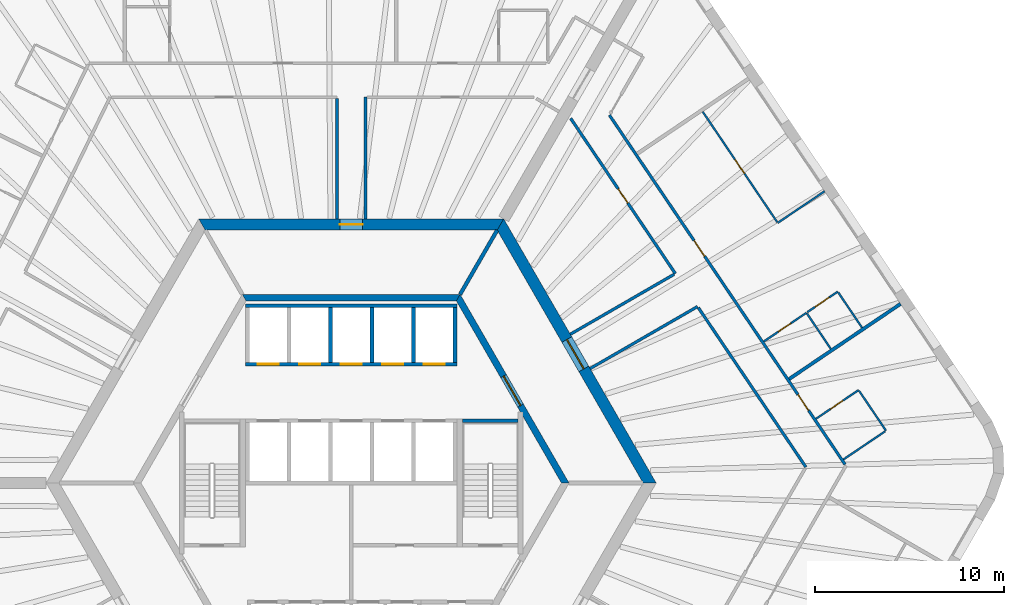
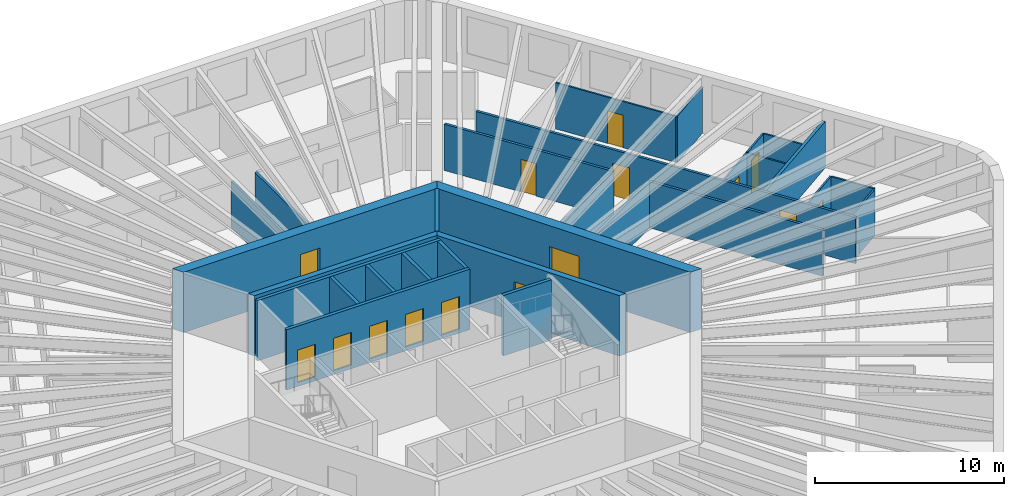
# One storey, part 9 of 11: 29 walls, 15 doors, 15 openings.
"""IFC4 building model written with IfcOpenShell, lengths in metres."""

from ifc_helpers import new_model, si_unit, direction, frame, frame_2d, origin, place, context, subcontext, project, spatial, polyline, rectangle, outline, extrude, material, layer, layer_set, type_object, element, fill, save


model = new_model("IFC4")

# Units and contexts
model_context = context("Model", 3, precision=1e-05, world=origin(), true_north=direction((0.0, 1.0)))
body_context = subcontext(model_context, "Body", "Model", "MODEL_VIEW")
ifc_project = project(units=[si_unit("LENGTHUNIT", "METRE"), si_unit("AREAUNIT", "SQUARE_METRE"), si_unit("VOLUMEUNIT", "CUBIC_METRE"), si_unit("PLANEANGLEUNIT", "RADIAN"), si_unit("MASSUNIT", "GRAM", prefix="KILO")], contexts=[model_context])

# Site, building, storey
site_placement = place(None, origin())
site = spatial("IfcSite", under=ifc_project, at=site_placement, CompositionType="ELEMENT")
building_placement = place(site_placement, origin())
building = spatial("IfcBuilding", under=site, at=building_placement, Name="Tarnside Tower", CompositionType="ELEMENT")
storey_placement = place(building_placement, frame((0.0, 0.0, 107.699951171875)))
storey = spatial("IfcBuildingStorey", under=building, at=storey_placement, Name="L24", CompositionType="ELEMENT", Elevation=107.699951171875)

# Wall, opening, door
ifc_material_1 = material(Name="Gypsum board partition on steel studs", Category="steel")
ifc_layer_1 = layer(ifc_material_1, 0.10009765625)
ifc_layer_set_1 = layer_set([ifc_layer_1], Name="Bathroom wall 100")
wall_type_1 = type_object("IfcWallType", Name="Bathroom wall 100", PredefinedType="PARTITIONING", material=ifc_layer_set_1)
wall_1_placement = place(storey_placement, frame((24.63330078125, 3.4033203125, 0.0), z_axis=(0.0, 0.0, 1.0), x_axis=(0.829047014003, 0.559178905694, 0.0)))
wall_1 = element("IfcWall", 1, at=wall_1_placement, inside=storey, type_object=wall_type_1, Name="Bathroom wall 07145", PredefinedType="PARTITIONING", context=body_context, shape_type="SweptSolid", body=[
    extrude(rectangle(XDim=2.724853515625, YDim=0.10009765625, at=frame_2d((1.3623046875, 0.0))), origin(), (0.0, 0.0, 1.0), 2.98779296875),
])
opening_1_placement = place(wall_1_placement, frame((0.925048828125, 0.0, 0.0)))
opening_1 = element("IfcOpeningElement", 2, at=opening_1_placement, cuts=wall_1, Name="Opening D-B1", PredefinedType="OPENING", context=body_context, shape_type="SweptSolid", body=[
    extrude(rectangle(XDim=0.800048828125, YDim=2.10009765625, at=frame_2d((0.39990234375, 1.050048828125))), frame((0.0, 0.06005859375, 0.0), z_axis=(0.0, -1.0, 0.0), x_axis=(1.0, 0.0, 0.0)), (0.0, 0.0, 1.0), 0.1201171875),
])
ifc_material_2 = material(Name="Timber door leaf", Category="wood")
door_type_1 = type_object("IfcDoorType", Name="Bathroom door 800", OperationType="NOTDEFINED", PredefinedType="DOOR", material=ifc_material_2)
door_1_placement = place(opening_1_placement, origin())
door_1 = element("IfcDoor", 3, at=door_1_placement, inside=storey, type_object=door_type_1, Name="Bathroom door 07036", OperationType="SINGLE_SWING_RIGHT", OverallHeight=2.10009765625, OverallWidth=0.800048828125, PredefinedType="DOOR", context=body_context, shape_type="SweptSolid", body=[
    extrude(rectangle(XDim=0.800048828125, YDim=2.10009765625, at=frame_2d((0.39990234375, 1.050048828125))), frame((0.0, 0.02490234375, 0.0), z_axis=(0.0, -1.0, 0.0), x_axis=(1.0, 0.0, 0.0)), (0.0, 0.0, 1.0), 0.050048828125),
])
fill(opening_1, door_1)

# Walls
wall_2_placement = place(storey_placement, frame((26.92041015625, 4.885498046875, 0.0), z_axis=(0.0, 0.0, 1.0), x_axis=(0.559221247909, -0.829018453285, 0.0)))
element("IfcWall", 4, at=wall_2_placement, inside=storey, type_object=wall_type_1, Name="Bathroom wall 07146", PredefinedType="PARTITIONING", context=body_context, shape_type="SweptSolid", body=[
    extrude(rectangle(XDim=2.550048828125, YDim=0.10009765625, at=frame_2d((1.27490234375, 0.0))), origin(), (0.0, 0.0, 1.0), 2.98779296875),
])
wall_3_placement = place(storey_placement, frame((28.304931640625, 2.74365234375, 0.0), z_axis=(0.0, 0.0, 1.0), x_axis=(-0.82904753069, -0.559178139645, 0.0)))
element("IfcWall", 5, at=wall_3_placement, inside=storey, type_object=wall_type_1, Name="Bathroom wall 07147", PredefinedType="PARTITIONING", context=body_context, shape_type="SweptSolid", body=[
    extrude(rectangle(XDim=2.675048828125, YDim=0.10009765625, at=frame_2d((1.33740234375, 0.0))), origin(), (0.0, 0.0, 1.0), 2.98779296875),
])

# Wall, opening, door
wall_4_placement = place(storey_placement, frame((21.86962890625, 7.50048828125, 0.0), z_axis=(0.0, 0.0, 1.0), x_axis=(0.829005477618, 0.559240483226, 0.0)))
wall_4 = element("IfcWall", 6, at=wall_4_placement, inside=storey, type_object=wall_type_1, Name="Bathroom wall 07151", PredefinedType="PARTITIONING", context=body_context, shape_type="SweptSolid", body=[
    extrude(rectangle(XDim=2.72509765625, YDim=0.10009765625, at=frame_2d((1.362548828125, 0.0))), origin(), (0.0, 0.0, 1.0), 2.98779296875),
])
opening_2_placement = place(wall_4_placement, frame((0.925048828125, 0.0, 0.0)))
opening_2 = element("IfcOpeningElement", 7, at=opening_2_placement, cuts=wall_4, Name="Opening D-B1", PredefinedType="OPENING", context=body_context, shape_type="SweptSolid", body=[
    extrude(rectangle(XDim=0.800048828125, YDim=2.10009765625, at=frame_2d((0.39990234375, 1.050048828125))), frame((0.0, 0.06005859375, 0.0), z_axis=(0.0, -1.0, 0.0), x_axis=(1.0, 0.0, 0.0)), (0.0, 0.0, 1.0), 0.1201171875),
])
door_2_placement = place(opening_2_placement, origin())
door_2 = element("IfcDoor", 8, at=door_2_placement, inside=storey, type_object=door_type_1, Name="Bathroom door 07038", OperationType="SINGLE_SWING_RIGHT", OverallHeight=2.10009765625, OverallWidth=0.800048828125, PredefinedType="DOOR", context=body_context, shape_type="SweptSolid", body=[
    extrude(rectangle(XDim=0.800048828125, YDim=2.10009765625, at=frame_2d((0.39990234375, 1.050048828125))), frame((0.0, 0.02490234375, 0.0), z_axis=(0.0, -1.0, 0.0), x_axis=(1.0, 0.0, 0.0)), (0.0, 0.0, 1.0), 0.050048828125),
])
fill(opening_2, door_2)

# Wall
wall_5_placement = place(storey_placement, frame((25.42041015625, 7.109375, 0.0), z_axis=(0.0, 0.0, 1.0), x_axis=(-0.559179660023, 0.829046505219, 0.0)))
element("IfcWall", 9, at=wall_5_placement, inside=storey, type_object=wall_type_1, Name="Bathroom wall 07157", PredefinedType="PARTITIONING", context=body_context, shape_type="SweptSolid", body=[
    extrude(rectangle(XDim=2.259765625, YDim=0.10009765625, at=frame_2d((1.1298828125, 0.0))), origin(), (0.0, 0.0, 1.0), 2.98779296875),
])

# Wall, opening, door
ifc_material_3 = material(Name="Concrete C50/60", Category="concrete")
ifc_layer_2 = layer(ifc_material_3, 0.35009765625)
ifc_layer_set_2 = layer_set([ifc_layer_2], Name="Core block wall 350 C50/60")
wall_type_2 = type_object("IfcWallType", Name="Core block wall 350 C50/60", PredefinedType="SHEAR", material=ifc_layer_set_2)
wall_6_placement = place(storey_placement, frame((11.344970703125, 0.0, -0.14990234375), z_axis=(0.0, 0.0, 1.0), x_axis=(-0.499995046907, 0.866028263435, 0.0)))
wall_6 = element("IfcWall", 10, at=wall_6_placement, inside=storey, type_object=wall_type_2, Name="L24 core block wall face 6", PredefinedType="SHEAR", context=body_context, shape_type="SweptSolid", body=[
    extrude(outline(polyline([(-0.10107421875, -0.175048828125), (11.44580078125, -0.175048828125), (11.24365234375, 0.175048828125), (0.10107421875, 0.175048828125), (-0.10107421875, -0.175048828125)])), origin(), (0.0, 0.0, 1.0), 3.89990234375),
])
opening_3_placement = place(wall_6_placement, frame((4.74365234375, 0.0, 0.14990234375)))
opening_3 = element("IfcOpeningElement", 11, at=opening_3_placement, cuts=wall_6, Name="Opening CD-LOB", PredefinedType="OPENING", context=body_context, shape_type="SweptSolid", body=[
    extrude(rectangle(XDim=1.800048828125, YDim=2.39990234375, at=frame_2d((0.89990234375, 1.199951171875))), frame((0.0, 0.18505859375, 0.0), z_axis=(0.0, -1.0, 0.0), x_axis=(1.0, 0.0, 0.0)), (0.0, 0.0, 1.0), 0.3701171875),
])
ifc_material_4 = material(Name="Steel fire door", Category="steel")
door_type_2 = type_object("IfcDoorType", Name="Lobby double door FD30S 1800x2400", OperationType="NOTDEFINED", PredefinedType="DOOR", material=ifc_material_4)
door_3_placement = place(opening_3_placement, origin())
door_3 = element("IfcDoor", 12, at=door_3_placement, inside=storey, type_object=door_type_2, Name="L24 lobby block door P2", OperationType="DOUBLE_DOOR_SINGLE_SWING", OverallHeight=2.39990234375, OverallWidth=1.800048828125, PredefinedType="DOOR", context=body_context, shape_type="SweptSolid", body=[
    extrude(rectangle(XDim=1.800048828125, YDim=2.39990234375, at=frame_2d((0.89990234375, 1.199951171875))), frame((0.0, 0.02490234375, 0.0), z_axis=(0.0, -1.0, 0.0), x_axis=(1.0, 0.0, 0.0)), (0.0, 0.0, 1.0), 0.050048828125),
])
fill(opening_3, door_3)

# Wall
wall_7_placement = place(storey_placement, frame((5.672607421875, 9.824951171875, -0.14990234375), z_axis=(0.0, 0.0, 1.0), x_axis=(-1.0, 0.0, 0.0)))
element("IfcWall", 13, at=wall_7_placement, inside=storey, type_object=wall_type_2, Name="L24 core block wall face 1", PredefinedType="SHEAR", context=body_context, shape_type="SweptSolid", body=[
    extrude(outline(polyline([(-0.10107421875, -0.175048828125), (11.4462890625, -0.175048828125), (11.244140625, 0.175048828125), (0.10107421875, 0.175048828125), (-0.10107421875, -0.175048828125)])), origin(), (0.0, 0.0, 1.0), 3.89990234375),
])

# Wall, opening, door
ifc_material_5 = material(Name="Concrete C80/95", Category="concrete")
ifc_layer_3 = layer(ifc_material_5, 0.60009765625)
ifc_layer_set_3 = layer_set([ifc_layer_3], Name="Core wall Z1 600 C80/95")
wall_type_3 = type_object("IfcWallType", Name="Core wall Z1 600 C80/95", PredefinedType="SHEAR", material=ifc_layer_set_3)
wall_8_placement = place(storey_placement, frame((15.8193359375, 0.0, -0.14990234375), z_axis=(0.0, 0.0, 1.0), x_axis=(-0.499999880136, 0.866025472988, 0.0)))
wall_8 = element("IfcWall", 14, at=wall_8_placement, inside=storey, type_object=wall_type_3, Name="L24 core wall face 6", PredefinedType="SHEAR", context=body_context, shape_type="SweptSolid", body=[
    extrude(outline(polyline([(-0.17333984375, -0.300048828125), (15.99267578125, -0.300048828125), (15.64599609375, 0.300048828125), (0.17333984375, 0.300048828125), (-0.17333984375, -0.300048828125)])), origin(), (0.0, 0.0, 1.0), 3.89990234375),
])
opening_4_placement = place(wall_8_placement, frame((6.980712890625, 0.0, 0.14990234375)))
opening_4 = element("IfcOpeningElement", 15, at=opening_4_placement, cuts=wall_8, Name="Opening CD-LOB", PredefinedType="OPENING", context=body_context, shape_type="SweptSolid", body=[
    extrude(rectangle(XDim=1.800048828125, YDim=2.39990234375, at=frame_2d((0.89990234375, 1.199951171875))), frame((0.0, 0.31005859375, 0.0), z_axis=(0.0, -1.0, 0.0), x_axis=(1.0, 0.0, 0.0)), (0.0, 0.0, 1.0), 0.6201171875),
])
door_4_placement = place(opening_4_placement, origin())
door_4 = element("IfcDoor", 16, at=door_4_placement, inside=storey, type_object=door_type_2, Name="L24 core door P2", OperationType="DOUBLE_DOOR_SINGLE_SWING", OverallHeight=2.39990234375, OverallWidth=1.800048828125, PredefinedType="DOOR", context=body_context, shape_type="SweptSolid", body=[
    extrude(rectangle(XDim=1.800048828125, YDim=2.39990234375, at=frame_2d((0.89990234375, 1.199951171875))), frame((0.0, 0.02490234375, 0.0), z_axis=(0.0, -1.0, 0.0), x_axis=(1.0, 0.0, 0.0)), (0.0, 0.0, 1.0), 0.050048828125),
])
fill(opening_4, door_4)

wall_9_placement = place(storey_placement, frame((7.90966796875, 13.699951171875, -0.14990234375), z_axis=(0.0, 0.0, 1.0), x_axis=(-1.0, 0.0, 0.0)))
wall_9 = element("IfcWall", 17, at=wall_9_placement, inside=storey, type_object=wall_type_3, Name="L24 core wall face 1", PredefinedType="SHEAR", context=body_context, shape_type="SweptSolid", body=[
    extrude(outline(polyline([(-0.17333984375, -0.300048828125), (15.99267578125, -0.300048828125), (15.64599609375, 0.300048828125), (0.17333984375, 0.300048828125), (-0.17333984375, -0.300048828125)])), origin(), (0.0, 0.0, 1.0), 3.89990234375),
])
opening_5_placement = place(wall_9_placement, frame((7.309814453125, 0.0, 0.14990234375)))
opening_5 = element("IfcOpeningElement", 18, at=opening_5_placement, cuts=wall_9, Name="Opening CD-RSR", PredefinedType="OPENING", context=body_context, shape_type="SweptSolid", body=[
    extrude(rectangle(XDim=1.199951171875, YDim=2.39990234375, at=frame_2d((0.60009765625, 1.199951171875))), frame((0.0, 0.31005859375, 0.0), z_axis=(0.0, -1.0, 0.0), x_axis=(1.0, 0.0, 0.0)), (0.0, 0.0, 1.0), 0.6201171875),
])
door_type_3 = type_object("IfcDoorType", Name="Riser door FD60 1200x2400", OperationType="NOTDEFINED", PredefinedType="DOOR", material=ifc_material_4)
door_5_placement = place(opening_5_placement, origin())
door_5 = element("IfcDoor", 19, at=door_5_placement, inside=storey, type_object=door_type_3, Name="L24 core door S5", OperationType="SINGLE_SWING_LEFT", OverallHeight=2.39990234375, OverallWidth=1.199951171875, PredefinedType="DOOR", context=body_context, shape_type="SweptSolid", body=[
    extrude(rectangle(XDim=1.199951171875, YDim=2.39990234375, at=frame_2d((0.60009765625, 1.199951171875))), frame((0.0, 0.02490234375, 0.0), z_axis=(0.0, -1.0, 0.0), x_axis=(1.0, 0.0, 0.0)), (0.0, 0.0, 1.0), 0.050048828125),
])
fill(opening_5, door_5)

# Walls
ifc_layer_4 = layer(ifc_material_1, 0.14990234375)
ifc_layer_set_4 = layer_set([ifc_layer_4], Name="Corridor wall 150 EI 60")
wall_type_4 = type_object("IfcWallType", Name="Corridor wall 150 EI 60", PredefinedType="PARTITIONING", material=ifc_layer_set_4)
wall_10_placement = place(storey_placement, frame((-0.75, 20.375, 0.0), z_axis=(0.0, 0.0, 1.0), x_axis=(0.0, -1.0, 0.0)))
element("IfcWall", 20, at=wall_10_placement, inside=storey, type_object=wall_type_4, Name="Corridor wall 07021", PredefinedType="PARTITIONING", context=body_context, shape_type="SweptSolid", body=[
    extrude(rectangle(XDim=6.375, YDim=0.14990234375, at=frame_2d((3.1875, 0.0))), origin(), (0.0, 0.0, 1.0), 2.98779296875),
])
wall_11_placement = place(storey_placement, frame((0.75, 14.0, 0.0), z_axis=(0.0, 0.0, 1.0), x_axis=(0.0, 1.0, 0.0)))
element("IfcWall", 21, at=wall_11_placement, inside=storey, type_object=wall_type_4, Name="Corridor wall 07022", PredefinedType="PARTITIONING", context=body_context, shape_type="SweptSolid", body=[
    extrude(rectangle(XDim=6.449951171875, YDim=0.14990234375, at=frame_2d((3.22509765625, 0.0))), origin(), (0.0, 0.0, 1.0), 2.98779296875),
])

# Wall, openings, doors
wall_12_placement = place(storey_placement, frame((26.174072265625, 0.98486328125, 0.0), z_axis=(0.0, 0.0, 1.0), x_axis=(-0.559192163771, 0.829038071488, 0.0)))
wall_12 = element("IfcWall", 22, at=wall_12_placement, inside=storey, type_object=wall_type_4, Name="Corridor wall 07058", PredefinedType="PARTITIONING", context=body_context, shape_type="SweptSolid", body=[
    extrude(rectangle(XDim=22.33544921875, YDim=0.14990234375, at=frame_2d((11.167724609375, 0.0))), origin(), (0.0, 0.0, 1.0), 2.98779296875),
])
opening_6_placement = place(wall_12_placement, frame((3.462646484375, 0.0, 0.0)))
opening_6 = element("IfcOpeningElement", 23, at=opening_6_placement, cuts=wall_12, Name="Opening D-E1", PredefinedType="OPENING", context=body_context, shape_type="SweptSolid", body=[
    extrude(rectangle(XDim=1.0, YDim=2.10009765625, at=frame_2d((0.5, 1.050048828125))), frame((0.0, 0.0849609375, 0.0), z_axis=(0.0, -1.0, 0.0), x_axis=(1.0, 0.0, 0.0)), (0.0, 0.0, 1.0), 0.169921875),
])
opening_7_placement = place(wall_12_placement, frame((13.308837890625, 0.0, 0.0)))
opening_7 = element("IfcOpeningElement", 24, at=opening_7_placement, cuts=wall_12, Name="Opening D-E1", PredefinedType="OPENING", context=body_context, shape_type="SweptSolid", body=[
    extrude(rectangle(XDim=1.0, YDim=2.10009765625, at=frame_2d((0.5, 1.050048828125))), frame((0.0, 0.0849609375, 0.0), z_axis=(0.0, -1.0, 0.0), x_axis=(1.0, 0.0, 0.0)), (0.0, 0.0, 1.0), 0.169921875),
])
door_type_4 = type_object("IfcDoorType", Name="Unit entrance door 1000 FD30S", OperationType="NOTDEFINED", PredefinedType="DOOR", material=ifc_material_2)
door_6_placement = place(opening_6_placement, origin())
door_6 = element("IfcDoor", 25, at=door_6_placement, inside=storey, type_object=door_type_4, Name="Unit door 07035", OperationType="SINGLE_SWING_LEFT", OverallHeight=2.10009765625, OverallWidth=1.0, PredefinedType="DOOR", context=body_context, shape_type="SweptSolid", body=[
    extrude(rectangle(XDim=1.0, YDim=2.10009765625, at=frame_2d((0.5, 1.050048828125))), frame((0.0, 0.02490234375, 0.0), z_axis=(0.0, -1.0, 0.0), x_axis=(1.0, 0.0, 0.0)), (0.0, 0.0, 1.0), 0.050048828125),
])
fill(opening_6, door_6)
door_7_placement = place(opening_7_placement, origin())
door_7 = element("IfcDoor", 26, at=door_7_placement, inside=storey, type_object=door_type_4, Name="Unit door 07037", OperationType="SINGLE_SWING_RIGHT", OverallHeight=2.10009765625, OverallWidth=1.0, PredefinedType="DOOR", context=body_context, shape_type="SweptSolid", body=[
    extrude(rectangle(XDim=1.0, YDim=2.10009765625, at=frame_2d((0.5, 1.050048828125))), frame((0.0, 0.02490234375, 0.0), z_axis=(0.0, -1.0, 0.0), x_axis=(1.0, 0.0, 0.0)), (0.0, 0.0, 1.0), 0.050048828125),
])
fill(opening_7, door_7)

# Walls
wall_13_placement = place(storey_placement, frame((12.663818359375, 6.065673828125, 0.0), z_axis=(0.0, 0.0, 1.0), x_axis=(0.866027295802, 0.499996722915, 0.0)))
element("IfcWall", 27, at=wall_13_placement, inside=storey, type_object=wall_type_4, Name="Corridor wall 07067", PredefinedType="PARTITIONING", context=body_context, shape_type="SweptSolid", body=[
    extrude(rectangle(XDim=6.5751953125, YDim=0.14990234375, at=frame_2d((3.28759765625, 0.0))), origin(), (0.0, 0.0, 1.0), 2.98779296875),
])
wall_14_placement = place(storey_placement, frame((18.400390625, 9.291015625, 0.0), z_axis=(0.0, 0.0, 1.0), x_axis=(0.559191829043, -0.829038297265, 0.0)))
element("IfcWall", 28, at=wall_14_placement, inside=storey, type_object=wall_type_4, Name="Corridor wall 07068", PredefinedType="PARTITIONING", context=body_context, shape_type="SweptSolid", body=[
    extrude(rectangle(XDim=10.19189453125, YDim=0.14990234375, at=frame_2d((5.095947265625, 0.0))), origin(), (0.0, 0.0, 1.0), 2.98779296875),
])

# Wall, opening, door
wall_15_placement = place(storey_placement, frame((11.631591796875, 19.326171875, 0.0), z_axis=(0.0, 0.0, 1.0), x_axis=(0.559193968377, -0.829036854266, 0.0)))
wall_15 = element("IfcWall", 29, at=wall_15_placement, inside=storey, type_object=wall_type_4, Name="Corridor wall 07074", PredefinedType="PARTITIONING", context=body_context, shape_type="SweptSolid", body=[
    extrude(rectangle(XDim=9.92431640625, YDim=0.14990234375, at=frame_2d((4.962158203125, 0.0))), origin(), (0.0, 0.0, 1.0), 2.98779296875),
])
opening_8_placement = place(wall_15_placement, frame((4.51220703125, 0.0, 0.0)))
opening_8 = element("IfcOpeningElement", 30, at=opening_8_placement, cuts=wall_15, Name="Opening D-S1", PredefinedType="OPENING", context=body_context, shape_type="SweptSolid", body=[
    extrude(rectangle(XDim=0.89990234375, YDim=2.10009765625, at=frame_2d((0.449951171875, 1.050048828125))), frame((0.0, 0.0849609375, 0.0), z_axis=(0.0, -1.0, 0.0), x_axis=(1.0, 0.0, 0.0)), (0.0, 0.0, 1.0), 0.169921875),
])
door_type_5 = type_object("IfcDoorType", Name="Service room door 900 FD30S", OperationType="NOTDEFINED", PredefinedType="DOOR", material=ifc_material_2)
door_8_placement = place(opening_8_placement, origin())
door_8 = element("IfcDoor", 31, at=door_8_placement, inside=storey, type_object=door_type_5, Name="Service door 07050", OperationType="SINGLE_SWING_LEFT", OverallHeight=2.10009765625, OverallWidth=0.89990234375, PredefinedType="DOOR", context=body_context, shape_type="SweptSolid", body=[
    extrude(rectangle(XDim=0.89990234375, YDim=2.10009765625, at=frame_2d((0.449951171875, 1.050048828125))), frame((0.0, 0.02490234375, 0.0), z_axis=(0.0, -1.0, 0.0), x_axis=(1.0, 0.0, 0.0)), (0.0, 0.0, 1.0), 0.050048828125),
])
fill(opening_8, door_8)

# Walls
wall_16_placement = place(storey_placement, frame((17.115966796875, 11.06103515625, 0.0), z_axis=(0.0, 0.0, 1.0), x_axis=(-0.866021127751, -0.500007406234, 0.0)))
element("IfcWall", 32, at=wall_16_placement, inside=storey, type_object=wall_type_4, Name="Corridor wall 07075", PredefinedType="PARTITIONING", context=body_context, shape_type="SweptSolid", body=[
    extrude(rectangle(XDim=6.353515625, YDim=0.14990234375, at=frame_2d((3.1767578125, 0.0))), origin(), (0.0, 0.0, 1.0), 2.98779296875),
])
ifc_layer_5 = layer(ifc_material_1, 0.179931640625)
ifc_layer_set_5 = layer_set([ifc_layer_5], Name="Demising wall 180 EI 60")
wall_type_5 = type_object("IfcWallType", Name="Demising wall 180 EI 60", PredefinedType="PARTITIONING", material=ifc_layer_set_5)
wall_17_placement = place(storey_placement, frame((29.11865234375, 9.4951171875, 0.0), z_axis=(0.0, 0.0, 1.0), x_axis=(-0.829049225145, -0.559175627408, 0.0)))
element("IfcWall", 33, at=wall_17_placement, inside=storey, type_object=wall_type_5, Name="Demising wall 07148", PredefinedType="PARTITIONING", context=body_context, shape_type="SweptSolid", body=[
    extrude(rectangle(XDim=7.125, YDim=0.179931640625, at=frame_2d((3.5625, 0.0))), origin(), (0.0, 0.0, 1.0), 2.98779296875),
])

# Wall, openings, doors
ifc_material_6 = material(Name="Concrete C40/50", Category="concrete")
ifc_layer_6 = layer(ifc_material_6, 0.199951171875)
ifc_layer_set_6 = layer_set([ifc_layer_6], Name="Lift shaft wall 200 C40/50")
wall_type_6 = type_object("IfcWallType", Name="Lift shaft wall 200 C40/50", PredefinedType="SHEAR", material=ifc_layer_set_6)
wall_18_placement = place(storey_placement, frame((-5.60009765625, 6.300048828125, -0.25), z_axis=(0.0, 0.0, 1.0), x_axis=(1.0, 0.0, 0.0)))
wall_18 = element("IfcWall", 34, at=wall_18_placement, inside=storey, type_object=wall_type_6, Name="L24 lift shaft front wall R1", PredefinedType="SHEAR", context=body_context, shape_type="SweptSolid", body=[
    extrude(rectangle(XDim=11.2001953125, YDim=0.199951171875, at=frame_2d((5.60009765625, 0.0))), origin(), (0.0, 0.0, 1.0), 3.900146484375),
])
opening_9_placement = place(wall_18_placement, frame((0.64990234375, 0.0, 0.25)))
opening_9 = element("IfcOpeningElement", 35, at=opening_9_placement, cuts=wall_18, Name="Opening LD", PredefinedType="OPENING", context=body_context, shape_type="SweptSolid", body=[
    extrude(rectangle(XDim=1.10009765625, YDim=2.10009765625, at=frame_2d((0.550048828125, 1.050048828125))), frame((0.0, 0.10986328125, 0.0), z_axis=(0.0, -1.0, 0.0), x_axis=(1.0, 0.0, 0.0)), (0.0, 0.0, 1.0), 0.219970703125),
])
opening_10_placement = place(wall_18_placement, frame((2.85009765625, 0.0, 0.25)))
opening_10 = element("IfcOpeningElement", 36, at=opening_10_placement, cuts=wall_18, Name="Opening LD", PredefinedType="OPENING", context=body_context, shape_type="SweptSolid", body=[
    extrude(rectangle(XDim=1.10009765625, YDim=2.10009765625, at=frame_2d((0.550048828125, 1.050048828125))), frame((0.0, 0.10986328125, 0.0), z_axis=(0.0, -1.0, 0.0), x_axis=(1.0, 0.0, 0.0)), (0.0, 0.0, 1.0), 0.219970703125),
])
opening_11_placement = place(wall_18_placement, frame((5.050048828125, 0.0, 0.25)))
opening_11 = element("IfcOpeningElement", 37, at=opening_11_placement, cuts=wall_18, Name="Opening LD", PredefinedType="OPENING", context=body_context, shape_type="SweptSolid", body=[
    extrude(rectangle(XDim=1.10009765625, YDim=2.10009765625, at=frame_2d((0.550048828125, 1.050048828125))), frame((0.0, 0.10986328125, 0.0), z_axis=(0.0, -1.0, 0.0), x_axis=(1.0, 0.0, 0.0)), (0.0, 0.0, 1.0), 0.219970703125),
])
opening_12_placement = place(wall_18_placement, frame((7.25, 0.0, 0.25)))
opening_12 = element("IfcOpeningElement", 38, at=opening_12_placement, cuts=wall_18, Name="Opening LD", PredefinedType="OPENING", context=body_context, shape_type="SweptSolid", body=[
    extrude(rectangle(XDim=1.10009765625, YDim=2.10009765625, at=frame_2d((0.550048828125, 1.050048828125))), frame((0.0, 0.10986328125, 0.0), z_axis=(0.0, -1.0, 0.0), x_axis=(1.0, 0.0, 0.0)), (0.0, 0.0, 1.0), 0.219970703125),
])
opening_13_placement = place(wall_18_placement, frame((9.449951171875, 0.0, 0.25)))
opening_13 = element("IfcOpeningElement", 39, at=opening_13_placement, cuts=wall_18, Name="Opening LD", PredefinedType="OPENING", context=body_context, shape_type="SweptSolid", body=[
    extrude(rectangle(XDim=1.10009765625, YDim=2.10009765625, at=frame_2d((0.550048828125, 1.050048828125))), frame((0.0, 0.10986328125, 0.0), z_axis=(0.0, -1.0, 0.0), x_axis=(1.0, 0.0, 0.0)), (0.0, 0.0, 1.0), 0.219970703125),
])
ifc_material_7 = material(Name="Stainless steel", Category="steel")
door_type_6 = type_object("IfcDoorType", Name="Lift landing door 1100x2100", OperationType="NOTDEFINED", PredefinedType="DOOR", material=ifc_material_7)
door_9_placement = place(opening_9_placement, origin())
door_9 = element("IfcDoor", 40, at=door_9_placement, inside=storey, type_object=door_type_6, Name="Low-rise lift 1 landing door L24", OperationType="SLIDING_TO_LEFT", OverallHeight=2.10009765625, OverallWidth=1.10009765625, PredefinedType="DOOR", context=body_context, shape_type="SweptSolid", body=[
    extrude(rectangle(XDim=1.10009765625, YDim=2.10009765625, at=frame_2d((0.550048828125, 1.050048828125))), frame((0.0, 0.02490234375, 0.0), z_axis=(0.0, -1.0, 0.0), x_axis=(1.0, 0.0, 0.0)), (0.0, 0.0, 1.0), 0.050048828125),
])
fill(opening_9, door_9)
door_10_placement = place(opening_10_placement, origin())
door_10 = element("IfcDoor", 41, at=door_10_placement, inside=storey, type_object=door_type_6, Name="Low-rise lift 2 landing door L24", OperationType="SLIDING_TO_LEFT", OverallHeight=2.10009765625, OverallWidth=1.10009765625, PredefinedType="DOOR", context=body_context, shape_type="SweptSolid", body=[
    extrude(rectangle(XDim=1.10009765625, YDim=2.10009765625, at=frame_2d((0.550048828125, 1.050048828125))), frame((0.0, 0.02490234375, 0.0), z_axis=(0.0, -1.0, 0.0), x_axis=(1.0, 0.0, 0.0)), (0.0, 0.0, 1.0), 0.050048828125),
])
fill(opening_10, door_10)
door_11_placement = place(opening_11_placement, origin())
door_11 = element("IfcDoor", 42, at=door_11_placement, inside=storey, type_object=door_type_6, Name="Low-rise lift 3 landing door L24", OperationType="SLIDING_TO_LEFT", OverallHeight=2.10009765625, OverallWidth=1.10009765625, PredefinedType="DOOR", context=body_context, shape_type="SweptSolid", body=[
    extrude(rectangle(XDim=1.10009765625, YDim=2.10009765625, at=frame_2d((0.550048828125, 1.050048828125))), frame((0.0, 0.02490234375, 0.0), z_axis=(0.0, -1.0, 0.0), x_axis=(1.0, 0.0, 0.0)), (0.0, 0.0, 1.0), 0.050048828125),
])
fill(opening_11, door_11)
door_12_placement = place(opening_12_placement, origin())
door_12 = element("IfcDoor", 43, at=door_12_placement, inside=storey, type_object=door_type_6, Name="Low sky-lobby shuttle 1 landing door L24", OperationType="SLIDING_TO_LEFT", OverallHeight=2.10009765625, OverallWidth=1.10009765625, PredefinedType="DOOR", context=body_context, shape_type="SweptSolid", body=[
    extrude(rectangle(XDim=1.10009765625, YDim=2.10009765625, at=frame_2d((0.550048828125, 1.050048828125))), frame((0.0, 0.02490234375, 0.0), z_axis=(0.0, -1.0, 0.0), x_axis=(1.0, 0.0, 0.0)), (0.0, 0.0, 1.0), 0.050048828125),
])
fill(opening_12, door_12)
door_13_placement = place(opening_13_placement, origin())
door_13 = element("IfcDoor", 44, at=door_13_placement, inside=storey, type_object=door_type_6, Name="Low sky-lobby shuttle 2 landing door L24", OperationType="SLIDING_TO_LEFT", OverallHeight=2.10009765625, OverallWidth=1.10009765625, PredefinedType="DOOR", context=body_context, shape_type="SweptSolid", body=[
    extrude(rectangle(XDim=1.10009765625, YDim=2.10009765625, at=frame_2d((0.550048828125, 1.050048828125))), frame((0.0, 0.02490234375, 0.0), z_axis=(0.0, -1.0, 0.0), x_axis=(1.0, 0.0, 0.0)), (0.0, 0.0, 1.0), 0.050048828125),
])
fill(opening_13, door_13)

# Walls
wall_19_placement = place(storey_placement, frame((-5.60009765625, 9.39990234375, -0.25), z_axis=(0.0, 0.0, 1.0), x_axis=(1.0, 0.0, 0.0)))
element("IfcWall", 45, at=wall_19_placement, inside=storey, type_object=wall_type_6, Name="L24 lift shaft back wall R1", PredefinedType="SHEAR", context=body_context, shape_type="SweptSolid", body=[
    extrude(rectangle(XDim=11.2001953125, YDim=0.199951171875, at=frame_2d((5.60009765625, 0.0))), origin(), (0.0, 0.0, 1.0), 3.900146484375),
])
for number, where, z_axis, x_axis, name in (
    (46, (-1.10009765625, 6.39990234375, -0.25), (0.0, 0.0, 1.0), (0.0, 1.0, 0.0), "L24 lift shaft partition R13"),
    (47, (1.10009765625, 6.39990234375, -0.25), (0.0, 0.0, 1.0), (0.0, 1.0, 0.0), "L24 lift shaft partition R14"),
    (48, (3.300048828125, 6.39990234375, -0.25), (0.0, 0.0, 1.0), (0.0, 1.0, 0.0), "L24 lift shaft partition R15"),
    (49, (5.5, 6.39990234375, -0.25), (0.0, 0.0, 1.0), (0.0, 1.0, 0.0), "L24 lift shaft partition R16"),
):
    element("IfcWall", number, at=place(storey_placement, frame(where, z_axis=z_axis, x_axis=x_axis)), inside=storey, type_object=wall_type_6, Name=name, PredefinedType="SHEAR", context=body_context, shape_type="SweptSolid", body=[
        extrude(rectangle(XDim=2.900146484375, YDim=0.199951171875, at=frame_2d((1.4501953125, 0.0))), origin(), (0.0, 0.0, 1.0), 3.900146484375),
    ])
wall_20_placement = place(storey_placement, frame((5.7734375, 10.0, -0.14990234375), z_axis=(0.0, 0.0, 1.0), x_axis=(0.500038251005, 0.86600331843, 0.0)))
element("IfcWall", 50, at=wall_20_placement, inside=storey, type_object=wall_type_6, Name="L24 core partition AR60", PredefinedType="SHEAR", context=body_context, shape_type="SweptSolid", body=[
    extrude(rectangle(XDim=3.926025390625, YDim=0.199951171875, at=frame_2d((1.962890625, 0.0))), origin(), (0.0, 0.0, 1.0), 3.89990234375),
])
wall_21_placement = place(storey_placement, frame((5.89990234375, 3.300048828125, -0.25), z_axis=(0.0, 0.0, 1.0), x_axis=(1.0, 0.0, 0.0)))
element("IfcWall", 51, at=wall_21_placement, inside=storey, type_object=wall_type_6, Name="L24 stair 1 enclosure cap wall n", PredefinedType="SHEAR", context=body_context, shape_type="SweptSolid", body=[
    extrude(rectangle(XDim=2.9501953125, YDim=0.199951171875, at=frame_2d((1.47509765625, 0.0))), origin(), (0.0, 0.0, 1.0), 3.900146484375),
])

# Wall, opening, door
ifc_layer_7 = layer(ifc_material_1, 0.10009765625)
ifc_layer_set_7 = layer_set([ifc_layer_7], Name="Partition 100")
wall_type_7 = type_object("IfcWallType", Name="Partition 100", PredefinedType="PARTITIONING", material=ifc_layer_set_7)
wall_22_placement = place(storey_placement, frame((24.170166015625, 9.05224609375, 0.0), z_axis=(0.0, 0.0, 1.0), x_axis=(0.829014089772, 0.559227716552, 0.0)))
wall_22 = element("IfcWall", 52, at=wall_22_placement, inside=storey, type_object=wall_type_7, Name="Partition wall 07152", PredefinedType="PARTITIONING", context=body_context, shape_type="SweptSolid", body=[
    extrude(rectangle(XDim=1.9501953125, YDim=0.10009765625, at=frame_2d((0.97509765625, 0.0))), origin(), (0.0, 0.0, 1.0), 2.98779296875),
])
opening_14_placement = place(wall_22_placement, frame((0.5, 0.0, 0.0)))
opening_14 = element("IfcOpeningElement", 53, at=opening_14_placement, cuts=wall_22, Name="Opening D-I1", PredefinedType="OPENING", context=body_context, shape_type="SweptSolid", body=[
    extrude(rectangle(XDim=0.89990234375, YDim=2.10009765625, at=frame_2d((0.449951171875, 1.050048828125))), frame((0.0, 0.06005859375, 0.0), z_axis=(0.0, -1.0, 0.0), x_axis=(1.0, 0.0, 0.0)), (0.0, 0.0, 1.0), 0.1201171875),
])
door_type_7 = type_object("IfcDoorType", Name="Internal door 900", OperationType="NOTDEFINED", PredefinedType="DOOR", material=ifc_material_2)
door_14_placement = place(opening_14_placement, origin())
door_14 = element("IfcDoor", 54, at=door_14_placement, inside=storey, type_object=door_type_7, Name="Internal door 07039", OperationType="SINGLE_SWING_LEFT", OverallHeight=2.10009765625, OverallWidth=0.89990234375, PredefinedType="DOOR", context=body_context, shape_type="SweptSolid", body=[
    extrude(rectangle(XDim=0.89990234375, YDim=2.10009765625, at=frame_2d((0.449951171875, 1.050048828125))), frame((0.0, 0.02490234375, 0.0), z_axis=(0.0, -1.0, 0.0), x_axis=(1.0, 0.0, 0.0)), (0.0, 0.0, 1.0), 0.050048828125),
])
fill(opening_14, door_14)

# Walls
wall_23_placement = place(storey_placement, frame((25.814697265625, 10.101318359375, 0.0), z_axis=(0.0, 0.0, 1.0), x_axis=(0.559253906445, -0.828996422264, 0.0)))
element("IfcWall", 55, at=wall_23_placement, inside=storey, type_object=wall_type_7, Name="Partition wall 07153", PredefinedType="PARTITIONING", context=body_context, shape_type="SweptSolid", body=[
    extrude(rectangle(XDim=2.260009765625, YDim=0.10009765625, at=frame_2d((1.1298828125, 0.0))), origin(), (0.0, 0.0, 1.0), 2.98779296875),
])
wall_24_placement = place(storey_placement, frame((25.09228515625, 15.464111328125, 0.0), z_axis=(0.0, 0.0, 1.0), x_axis=(-0.829045807101, -0.559180695061, 0.0)))
element("IfcWall", 56, at=wall_24_placement, inside=storey, type_object=wall_type_7, Name="Partition wall 07154", PredefinedType="PARTITIONING", context=body_context, shape_type="SweptSolid", body=[
    extrude(rectangle(XDim=3.0, YDim=0.10009765625, at=frame_2d((1.5, 0.0))), origin(), (0.0, 0.0, 1.0), 2.98779296875),
])

# Wall, opening, door
wall_25_placement = place(storey_placement, frame((22.577392578125, 13.828125, 0.0), z_axis=(0.0, 0.0, 1.0), x_axis=(-0.559200813603, 0.829032237049, 0.0)))
wall_25 = element("IfcWall", 57, at=wall_25_placement, inside=storey, type_object=wall_type_7, Name="Partition wall 07155", PredefinedType="PARTITIONING", context=body_context, shape_type="SweptSolid", body=[
    extrude(rectangle(XDim=7.06005859375, YDim=0.10009765625, at=frame_2d((3.530029296875, 0.0))), origin(), (0.0, 0.0, 1.0), 2.98779296875),
])
opening_15_placement = place(wall_25_placement, frame((3.10009765625, 0.0, 0.0)))
opening_15 = element("IfcOpeningElement", 58, at=opening_15_placement, cuts=wall_25, Name="Opening D-I1", PredefinedType="OPENING", context=body_context, shape_type="SweptSolid", body=[
    extrude(rectangle(XDim=0.89990234375, YDim=2.10009765625, at=frame_2d((0.449951171875, 1.050048828125))), frame((0.0, 0.06005859375, 0.0), z_axis=(0.0, -1.0, 0.0), x_axis=(1.0, 0.0, 0.0)), (0.0, 0.0, 1.0), 0.1201171875),
])
door_15_placement = place(opening_15_placement, origin())
door_15 = element("IfcDoor", 59, at=door_15_placement, inside=storey, type_object=door_type_7, Name="Internal door 07040", OperationType="SINGLE_SWING_LEFT", OverallHeight=2.10009765625, OverallWidth=0.89990234375, PredefinedType="DOOR", context=body_context, shape_type="SweptSolid", body=[
    extrude(rectangle(XDim=0.89990234375, YDim=2.10009765625, at=frame_2d((0.449951171875, 1.050048828125))), frame((0.0, 0.02490234375, 0.0), z_axis=(0.0, -1.0, 0.0), x_axis=(1.0, 0.0, 0.0)), (0.0, 0.0, 1.0), 0.050048828125),
])
fill(opening_15, door_15)

save(model, "model.ifc")
